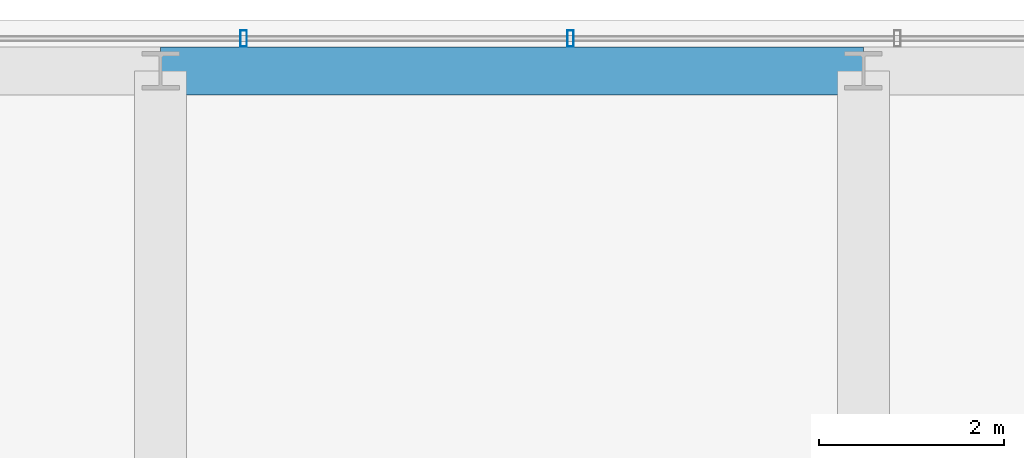
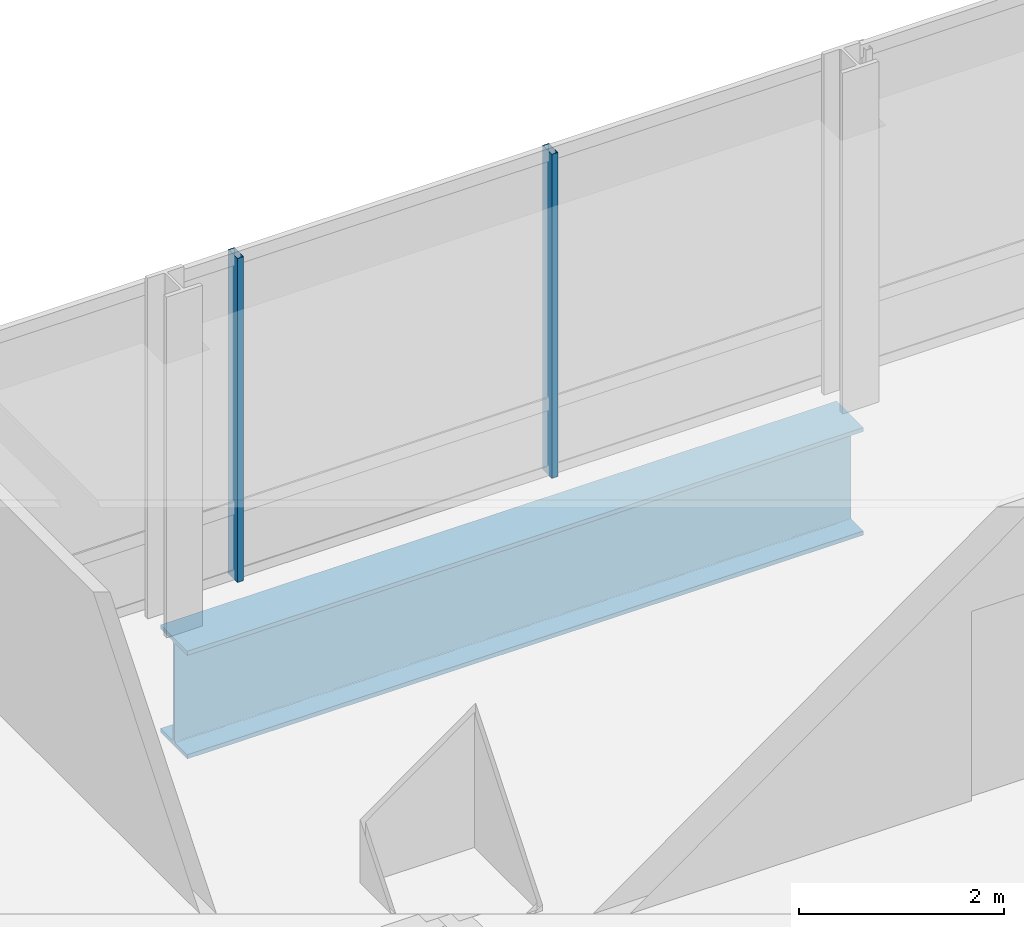
# One storey, part 27 of 42: 2 members, 1 beam, 1 element without a shape of its own.
"""IFC4 building model written with IfcOpenShell, lengths in metres."""

from ifc_helpers import new_model, si_unit, direction, frame, origin, origin_2d, place, context, subcontext, project, spatial, hollow_rectangle, i_section, extrude, material, material_profile, profile_set, type_object, element, aggregate, save


model = new_model("IFC4")

# Units and contexts
model_context = context("Model", 3, precision=1e-05, world=origin(), true_north=direction((0.0, 1.0)))
body_context = subcontext(model_context, "Body", "Model", "MODEL_VIEW")
ifc_project = project(units=[si_unit("LENGTHUNIT", "METRE"), si_unit("AREAUNIT", "SQUARE_METRE"), si_unit("VOLUMEUNIT", "CUBIC_METRE"), si_unit("PLANEANGLEUNIT", "RADIAN"), si_unit("MASSUNIT", "GRAM", prefix="KILO")], contexts=[model_context])

# Site, building, storey
site_placement = place(None, origin())
site = spatial("IfcSite", under=ifc_project, at=site_placement, CompositionType="ELEMENT")
building_placement = place(site_placement, origin())
building = spatial("IfcBuilding", under=site, at=building_placement, Name="Punatoya Terracotta Tower", CompositionType="ELEMENT")
storey_placement = place(building_placement, frame((0.0, 0.0, 255.449951171875)))
storey = spatial("IfcBuildingStorey", under=building, at=storey_placement, Name="L60", CompositionType="ELEMENT", Elevation=255.449951171875)

# Beam
ifc_material_1 = material(Name="Steel S460", Category="steel")
ifc_material_profile_1 = material_profile(ifc_material_1, i_section(OverallWidth=0.52001953125, OverallDepth=1.280029296875, WebThickness=0.031982421875, FlangeThickness=0.050048828125, FilletRadius=0.01806640625, at=origin_2d()))
ifc_profile_set_1 = profile_set([ifc_material_profile_1], Name="Steel S460")
beam_type = type_object("IfcBeamType", Name="BM-TG-NCK", PredefinedType="BEAM", material=ifc_profile_set_1)
beam_placement = place(storey_placement, frame((-3.800048828125, 22.89990234375, -0.83984375), z_axis=(1.0, 0.0, 0.0), x_axis=(0.0, 1.0, 0.0)))
element("IfcBeam", 1, at=beam_placement, inside=storey, type_object=beam_type, Name="BM-L60-PER-N2", PredefinedType="BEAM", context=body_context, shape_type="SweptSolid", body=[
    extrude(i_section(OverallWidth=0.52001953125, OverallDepth=1.280029296875, WebThickness=0.031982421875, FlangeThickness=0.050048828125, FilletRadius=0.01806640625, at=origin_2d()), origin(), (0.0, 0.0, 1.0), 7.60009765625),
])

# Curtain wall, members
ifc_material_2 = material(Name="Aluminium 6063-T6 + Double Low-E Glass", Category="aluminium")
curtain_wall_type = type_object("IfcCurtainWallType", Name="CW-M3", PredefinedType="NOTDEFINED", material=ifc_material_2)
curtain_wall_placement = place(storey_placement, origin())
curtain_wall = element("IfcCurtainWall", 2, at=curtain_wall_placement, inside=storey, type_object=curtain_wall_type, Name="L60 Curtain Wall CW-L60-N09-1", PredefinedType="NOTDEFINED")
ifc_material_3 = material(Name="Aluminium 6063-T6", Category="aluminium")
ifc_material_profile_2 = material_profile(ifc_material_3, hollow_rectangle(XDim=0.070068359375, YDim=0.179931640625, WallThickness=0.00390625, at=origin_2d()))
ifc_profile_set_2 = profile_set([ifc_material_profile_2], Name="Aluminium 6063-T6")
member_type = type_object("IfcMemberType", Name="CW-MUL-M3", PredefinedType="MULLION", material=ifc_profile_set_2)
member_1_placement = place(storey_placement, frame((0.633056640625, 23.25, 0.0), z_axis=(0.0, 0.0, 1.0), x_axis=(1.0, 0.0, 0.0)))
member_1 = element("IfcMember", 3, at=member_1_placement, type_object=member_type, Name="CW-L60-N09-1 Mullion 06", PredefinedType="MULLION", context=body_context, shape_type="SweptSolid", body=[
    extrude(hollow_rectangle(XDim=0.070068359375, YDim=0.179931640625, WallThickness=0.00390625, at=origin_2d()), origin(), (0.0, 0.0, 1.0), 3.85009765625),
])
member_2_placement = place(storey_placement, frame((-2.90087890625, 23.25, 0.0), z_axis=(0.0, 0.0, 1.0), x_axis=(1.0, 0.0, 0.0)))
member_2 = element("IfcMember", 4, at=member_2_placement, type_object=member_type, Name="CW-L60-N09-1 Mullion 07", PredefinedType="MULLION", context=body_context, shape_type="SweptSolid", body=[
    extrude(hollow_rectangle(XDim=0.070068359375, YDim=0.179931640625, WallThickness=0.00390625, at=origin_2d()), origin(), (0.0, 0.0, 1.0), 3.85009765625),
])
aggregate(curtain_wall, [member_1, member_2])

save(model, "model.ifc")
